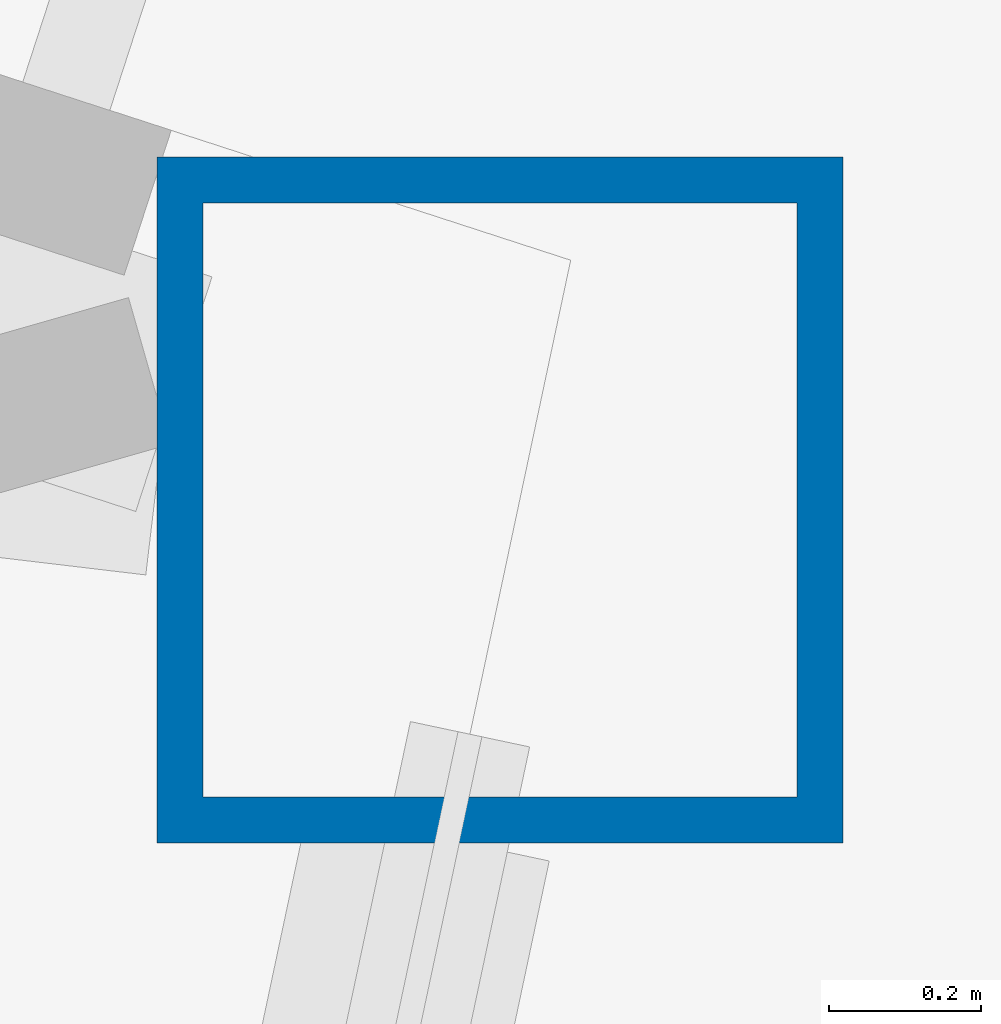
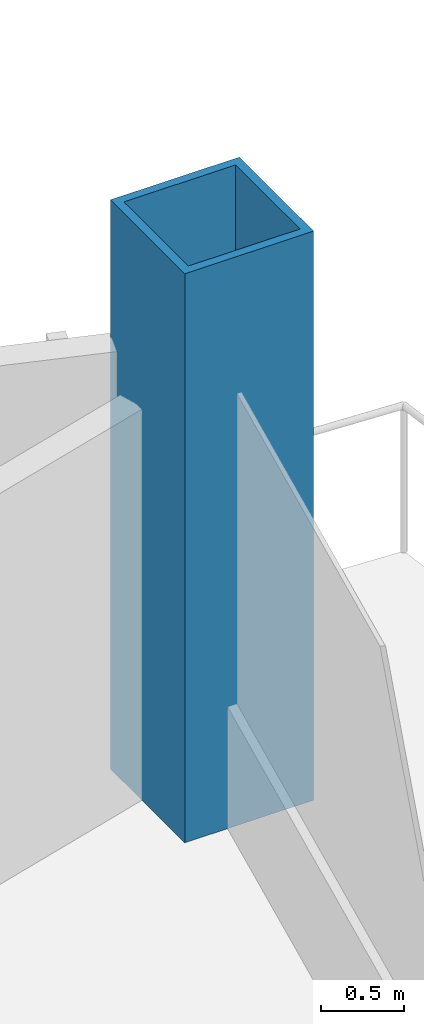
# One storey, part 2 of 21: 1 column.
"""IFC4 building model written with IfcOpenShell, lengths in metres."""

from ifc_helpers import new_model, si_unit, direction, frame, origin, origin_2d, place, context, subcontext, project, spatial, hollow_rectangle, extrude, material, material_profile, profile_set, type_object, element, save


model = new_model("IFC4")

# Units and contexts
model_context = context("Model", 3, precision=1e-05, world=origin(), true_north=direction((0.0, 1.0)))
body_context = subcontext(model_context, "Body", "Model", "MODEL_VIEW")
ifc_project = project(units=[si_unit("LENGTHUNIT", "METRE"), si_unit("AREAUNIT", "SQUARE_METRE"), si_unit("VOLUMEUNIT", "CUBIC_METRE"), si_unit("PLANEANGLEUNIT", "RADIAN"), si_unit("MASSUNIT", "GRAM", prefix="KILO")], contexts=[model_context])

# Site, building, storey
site_placement = place(None, origin())
site = spatial("IfcSite", under=ifc_project, at=site_placement, CompositionType="ELEMENT")
building_placement = place(site_placement, origin())
building = spatial("IfcBuilding", under=site, at=building_placement, Name="Cormorant Prow Tower", CompositionType="ELEMENT")
storey_placement = place(building_placement, frame((0.0, 0.0, 124.800048828125)))
storey = spatial("IfcBuildingStorey", under=building, at=storey_placement, Name="L26", CompositionType="ELEMENT", Elevation=124.800048828125)

# Column
ifc_material = material(Name="Structural steel ASTM A572 Gr 50", Category="steel")
ifc_material_profile = material_profile(ifc_material, hollow_rectangle(XDim=0.89990234375, YDim=0.89990234375, WallThickness=0.06005859375, at=origin_2d()), Name="Box 900x900x60")
ifc_profile_set = profile_set([ifc_material_profile], Name="Structural steel ASTM A572 Gr 50")
column_type = type_object("IfcColumnType", Name="Perimeter box column 900x900x60", PredefinedType="COLUMN", material=ifc_profile_set)
column_placement = place(storey_placement, frame((32.1962890625, -4.967041015625, 0.0), z_axis=(0.0, 0.0, 1.0), x_axis=(1.0, 0.0, 0.0)))
element("IfcColumn", 1, at=column_placement, inside=storey, type_object=column_type, Name="Perimeter column C3 at ENE01 L26", PredefinedType="COLUMN", context=body_context, shape_type="SweptSolid", body=[
    extrude(hollow_rectangle(XDim=0.89990234375, YDim=0.89990234375, WallThickness=0.06005859375, at=origin_2d()), origin(), (0.0, 0.0, 1.0), 4.199951171875),
])

save(model, "model.ifc")
